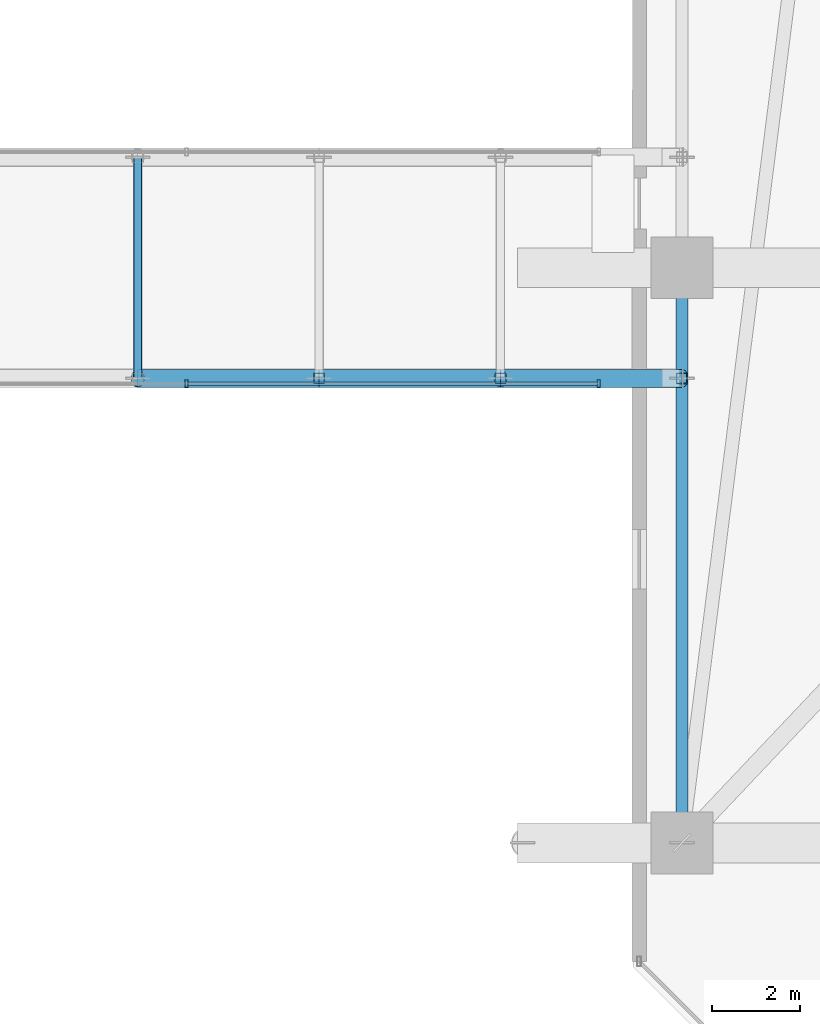
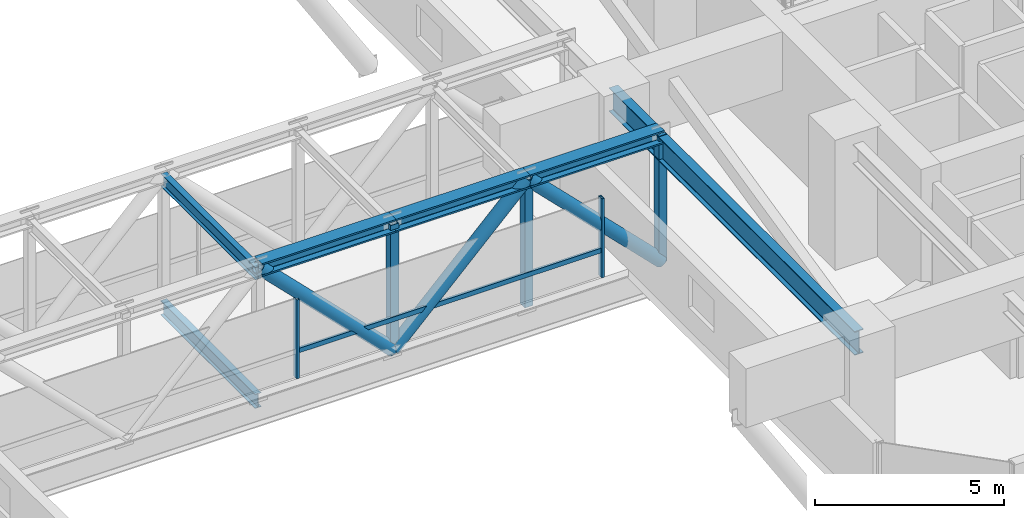
# One storey, part 10 of 38: 12 members, 3 beams, 1 element without a shape of its own.
"""IFC4 building model written with IfcOpenShell, lengths in metres."""

from ifc_helpers import new_model, si_unit, direction, frame, origin, origin_2d, place, context, subcontext, project, spatial, hollow_rectangle, hollow_circle, i_section, extrude, material, material_profile, profile_set, type_object, element, aggregate, save


model = new_model("IFC4")

# Units and contexts
model_context = context("Model", 3, precision=1e-05, world=origin(), true_north=direction((0.0, 1.0)))
body_context = subcontext(model_context, "Body", "Model", "MODEL_VIEW")
ifc_project = project(units=[si_unit("LENGTHUNIT", "METRE"), si_unit("AREAUNIT", "SQUARE_METRE"), si_unit("VOLUMEUNIT", "CUBIC_METRE"), si_unit("PLANEANGLEUNIT", "RADIAN"), si_unit("MASSUNIT", "GRAM", prefix="KILO")], contexts=[model_context])

# Site, building, storey
site_placement = place(None, origin())
site = spatial("IfcSite", under=ifc_project, at=site_placement, CompositionType="ELEMENT")
building_placement = place(site_placement, origin())
building = spatial("IfcBuilding", under=site, at=building_placement, Name="Thornwick Lancets Civic Towers", CompositionType="ELEMENT")
storey_placement = place(building_placement, frame((0.0, 0.0, 71.699951171875)))
storey = spatial("IfcBuildingStorey", under=building, at=storey_placement, Name="L18", CompositionType="ELEMENT", Elevation=71.699951171875)

# Beams
ifc_material_1 = material(Name="Steel S355JR", Category="steel")
ifc_material_profile_1 = material_profile(ifc_material_1, i_section(OverallWidth=0.26806640625, OverallDepth=0.769775390625, WebThickness=0.015625, FlangeThickness=0.025390625, FilletRadius=0.0166015625, at=origin_2d()), Name="UKB 762x267x197")
ifc_profile_set_1 = profile_set([ifc_material_profile_1], Name="Steel S355JR")
beam_type_1 = type_object("IfcBeamType", Name="BM_GIRD_762_197", PredefinedType="BEAM", material=ifc_profile_set_1)
beam_1_placement = place(storey_placement, frame((71.199951171875, 14.0, 3.4951171875), z_axis=(0.0, 1.0, 0.0), x_axis=(-1.0, 0.0, 0.0)))
element("IfcBeam", 1, at=beam_1_placement, inside=storey, type_object=beam_type_1, Name="BM-SPINE-L18-B-6-7", PredefinedType="BEAM", context=body_context, shape_type="SweptSolid", body=[
    extrude(i_section(OverallWidth=0.26806640625, OverallDepth=0.769775390625, WebThickness=0.015625, FlangeThickness=0.025390625, FilletRadius=0.0166015625, at=origin_2d()), origin(), (0.0, 0.0, 1.0), 13.0),
])
ifc_material_profile_2 = material_profile(ifc_material_1, i_section(OverallWidth=0.179443359375, OverallDepth=0.412841796875, WebThickness=0.009521484375, FlangeThickness=0.01611328125, FilletRadius=0.01025390625, at=origin_2d()), Name="UKB 406x178x74")
ifc_profile_set_2 = profile_set([ifc_material_profile_2], Name="Steel S355JR")
beam_type_2 = type_object("IfcBeamType", Name="BM_JOIST_406_74", PredefinedType="JOIST", material=ifc_profile_set_2)
beam_2_placement = place(storey_placement, frame((58.89990234375, 24.5, 3.673583984375), z_axis=(0.0, 1.0, 0.0), x_axis=(-1.0, 0.0, 0.0)))
element("IfcBeam", 2, at=beam_2_placement, inside=storey, type_object=beam_type_2, Name="BM-L18-SB-RBM-3", PredefinedType="JOIST", context=body_context, shape_type="SweptSolid", body=[
    extrude(i_section(OverallWidth=0.179443359375, OverallDepth=0.412841796875, WebThickness=0.009521484375, FlangeThickness=0.01611328125, FilletRadius=0.01025390625, at=origin_2d()), origin(), (0.0, 0.0, 1.0), 5.0),
])
ifc_material_profile_3 = material_profile(ifc_material_1, i_section(OverallWidth=0.19189453125, OverallDepth=0.46337890625, WebThickness=0.010498046875, FlangeThickness=0.017578125, FilletRadius=0.01025390625, at=origin_2d()), Name="UKB 457x191x89")
ifc_profile_set_3 = profile_set([ifc_material_profile_3], Name="Steel S355JR")
beam_type_3 = type_object("IfcBeamType", Name="BM_JOIST_457_89", PredefinedType="JOIST", material=ifc_profile_set_3)
beam_3_placement = place(storey_placement, frame((58.89990234375, 24.5, -0.45166015625), z_axis=(0.0, 1.0, 0.0), x_axis=(-1.0, 0.0, 0.0)))
element("IfcBeam", 3, at=beam_3_placement, inside=storey, type_object=beam_type_3, Name="BM-L18-SB-XBM-3", PredefinedType="JOIST", context=body_context, shape_type="SweptSolid", body=[
    extrude(i_section(OverallWidth=0.19189453125, OverallDepth=0.46337890625, WebThickness=0.010498046875, FlangeThickness=0.017578125, FilletRadius=0.01025390625, at=origin_2d()), origin(), (0.0, 0.0, 1.0), 5.0),
])

# Curtain wall, members
ifc_material_2 = material(Name="Skybridge acoustic laminated-glass curtain wall", Category="glass")
curtain_wall_type = type_object("IfcCurtainWallType", Name="CW_SYS_06", PredefinedType="NOTDEFINED", material=ifc_material_2)
curtain_wall_placement = place(storey_placement, origin())
curtain_wall = element("IfcCurtainWall", 4, at=curtain_wall_placement, inside=storey, type_object=curtain_wall_type, Name="L18 Curtain Wall CW-L18-SKYBRIDGE-S", PredefinedType="NOTDEFINED")
ifc_material_3 = material(Name="Thermally broken bronze aluminium S355", Category="steel")
ifc_material_profile_4 = material_profile(ifc_material_3, hollow_rectangle(XDim=0.074951171875, YDim=0.179931640625, WallThickness=0.006103515625, at=origin_2d()), Name="RHS 180x75x6")
ifc_profile_set_4 = profile_set([ifc_material_profile_4], Name="Thermally broken bronze aluminium S355")
member_type_1 = type_object("IfcMemberType", Name="CW_MUL_180", PredefinedType="MULLION", material=ifc_profile_set_4)
member_1_placement = place(storey_placement, frame((60.0, 24.3798828125, 0.0), z_axis=(0.0, 0.0, 1.0), x_axis=(1.0, 0.0, 0.0)))
member_1 = element("IfcMember", 5, at=member_1_placement, type_object=member_type_1, Name="CW-L18-SKYBRIDGE-S Mullion 1", PredefinedType="MULLION", context=body_context, shape_type="SweptSolid", body=[
    extrude(hollow_rectangle(XDim=0.074951171875, YDim=0.179931640625, WallThickness=0.006103515625, at=origin_2d()), origin(), (0.0, 0.0, 1.0), 2.550048828125),
])
member_2_placement = place(storey_placement, frame((69.320068359375, 24.3798828125, 0.0), z_axis=(0.0, 0.0, 1.0), x_axis=(1.0, 0.0, 0.0)))
member_2 = element("IfcMember", 6, at=member_2_placement, type_object=member_type_1, Name="CW-L18-SKYBRIDGE-S Mullion 2", PredefinedType="MULLION", context=body_context, shape_type="SweptSolid", body=[
    extrude(hollow_rectangle(XDim=0.074951171875, YDim=0.179931640625, WallThickness=0.006103515625, at=origin_2d()), origin(), (0.0, 0.0, 1.0), 2.550048828125),
])
ifc_material_profile_5 = material_profile(ifc_material_3, hollow_rectangle(XDim=0.074951171875, YDim=0.14990234375, WallThickness=0.0048828125, at=origin_2d()), Name="RHS 150x75x5")
ifc_profile_set_5 = profile_set([ifc_material_profile_5], Name="Thermally broken bronze aluminium S355")
member_type_2 = type_object("IfcMemberType", Name="CW_TRN_150", PredefinedType="USERDEFINED", material=ifc_profile_set_5)
member_3_placement = place(storey_placement, frame((60.02001953125, 24.3798828125, 0.85009765625), z_axis=(1.0, 0.0, 0.0), x_axis=(0.0, 1.0, 0.0)))
member_3 = element("IfcMember", 7, at=member_3_placement, type_object=member_type_2, Name="CW-L18-SKYBRIDGE-S Transom 1", ObjectType="TRANSOM", PredefinedType="USERDEFINED", context=body_context, shape_type="SweptSolid", body=[
    extrude(hollow_rectangle(XDim=0.074951171875, YDim=0.14990234375, WallThickness=0.0048828125, at=origin_2d()), origin(), (0.0, 0.0, 1.0), 9.280029296875),
])
aggregate(curtain_wall, [member_1, member_2, member_3])

# Members
ifc_material_4 = material(Name="Steel S460M", Category="steel")
ifc_material_profile_6 = material_profile(ifc_material_4, i_section(OverallWidth=0.406982421875, OverallDepth=0.4189453125, WebThickness=0.030517578125, FlangeThickness=0.04931640625, FilletRadius=0.01513671875, at=origin_2d()), Name="UKC 356x406x393")
ifc_profile_set_6 = profile_set([ifc_material_profile_6], Name="Steel S460M")
member_type_3 = type_object("IfcMemberType", Name="MEM_BRG_CHORD_393", PredefinedType="CHORD", material=ifc_profile_set_6)
for number, where, z_axis, x_axis, name in (
    (8, (58.89990234375, 24.5, 3.880126953125), (1.0, 0.0, 0.0), (0.0, 1.0, 0.0), "L18 Skybridge Top Chord 1-3"),
    (9, (63.0, 24.5, 3.880126953125), (1.0, 0.0, 0.0), (0.0, 1.0, 0.0), "L18 Skybridge Top Chord 1-4"),
):
    element("IfcMember", number, at=place(storey_placement, frame(where, z_axis=z_axis, x_axis=x_axis)), inside=storey, type_object=member_type_3, Name=name, PredefinedType="CHORD", context=body_context, shape_type="SweptSolid", body=[
        extrude(i_section(OverallWidth=0.406982421875, OverallDepth=0.4189453125, WebThickness=0.030517578125, FlangeThickness=0.04931640625, FilletRadius=0.01513671875, at=origin_2d()), origin(), (0.0, 0.0, 1.0), 4.10009765625),
    ])
member_4_placement = place(storey_placement, frame((67.10009765625, 24.5, 3.880126953125), z_axis=(1.0, 0.0, 0.0), x_axis=(0.0, 1.0, 0.0)))
element("IfcMember", 10, at=member_4_placement, inside=storey, type_object=member_type_3, Name="L18 Skybridge Top Chord 1-5", PredefinedType="CHORD", context=body_context, shape_type="SweptSolid", body=[
    extrude(i_section(OverallWidth=0.406982421875, OverallDepth=0.4189453125, WebThickness=0.030517578125, FlangeThickness=0.04931640625, FilletRadius=0.01513671875, at=origin_2d()), origin(), (0.0, 0.0, 1.0), 4.099853515625),
])
ifc_material_profile_7 = material_profile(ifc_material_4, hollow_circle(Radius=0.203125, WallThickness=0.02001953125, at=origin_2d()), Name="CHS 406.4x20")
ifc_profile_set_7 = profile_set([ifc_material_profile_7], Name="Steel S460M")
member_type_4 = type_object("IfcMemberType", Name="MEM_BRG_WEB_CHS406", PredefinedType="BRACE", material=ifc_profile_set_7)
for number, where, z_axis, x_axis, name in (
    (11, (58.89990234375, 24.5, 3.880126953125), (0.707106781187, 0.0, -0.707106781187), (0.0, 1.0, 0.0), "L18 Skybridge Truss Diagonal 1-3"),
    (12, (63.0, 24.5, -0.219970703125), (0.707106781187, 0.0, 0.707106781187), (0.0, 1.0, 0.0), "L18 Skybridge Truss Diagonal 1-4"),
    (13, (67.10009765625, 24.5, 3.880126953125), (0.707085727883, 0.0, -0.707127833863), (0.0, 1.0, 0.0), "L18 Skybridge Truss Diagonal 1-5"),
):
    element("IfcMember", number, at=place(storey_placement, frame(where, z_axis=z_axis, x_axis=x_axis)), inside=storey, type_object=member_type_4, Name=name, PredefinedType="BRACE", context=body_context, shape_type="SweptSolid", body=[
        extrude(hollow_circle(Radius=0.203125, WallThickness=0.02001953125, at=origin_2d()), origin(), (0.0, 0.0, 1.0), 5.79833984375),
    ])
ifc_material_profile_8 = material_profile(ifc_material_4, hollow_rectangle(XDim=0.25, YDim=0.25, WallThickness=0.01611328125, at=origin_2d()), Name="SHS 250x250x16")
ifc_profile_set_8 = profile_set([ifc_material_profile_8], Name="Steel S460M")
member_type_5 = type_object("IfcMemberType", Name="MEM_BRG_WEB_SHS250", PredefinedType="BRACE", material=ifc_profile_set_8)
for number, where, z_axis, x_axis, name in (
    (14, (63.0, 24.5, -0.219970703125), (0.0, 0.0, 1.0), (1.0, 0.0, 0.0), "L18 Skybridge Truss Post 1-4"),
    (15, (67.10009765625, 24.5, -0.219970703125), (0.0, 0.0, 1.0), (1.0, 0.0, 0.0), "L18 Skybridge Truss Post 1-5"),
    (16, (71.199951171875, 24.5, -0.219970703125), (0.0, 0.0, 1.0), (1.0, 0.0, 0.0), "L18 Skybridge Truss Post 1-6"),
):
    element("IfcMember", number, at=place(storey_placement, frame(where, z_axis=z_axis, x_axis=x_axis)), inside=storey, type_object=member_type_5, Name=name, PredefinedType="BRACE", context=body_context, shape_type="SweptSolid", body=[
        extrude(hollow_rectangle(XDim=0.25, YDim=0.25, WallThickness=0.01611328125, at=origin_2d()), origin(), (0.0, 0.0, 1.0), 4.10009765625),
    ])

save(model, "model.ifc")
